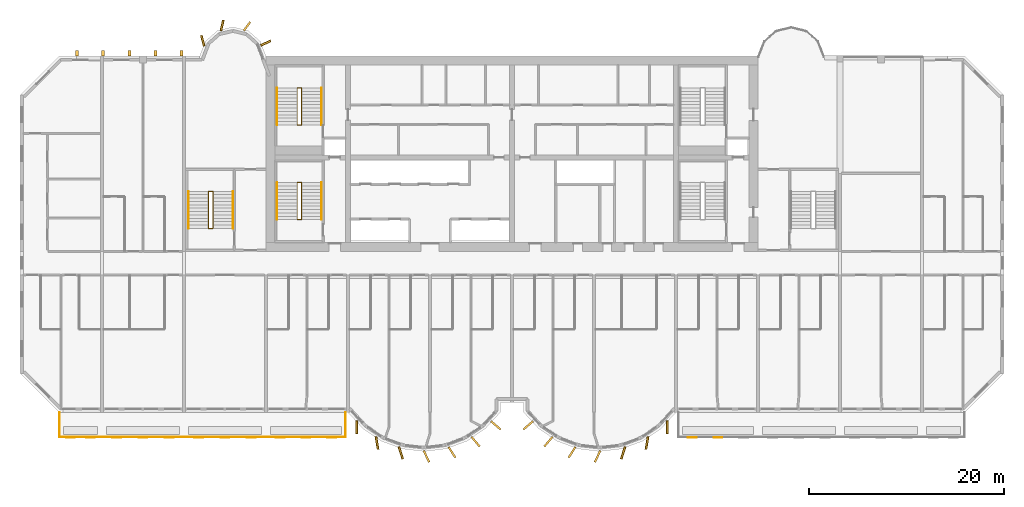
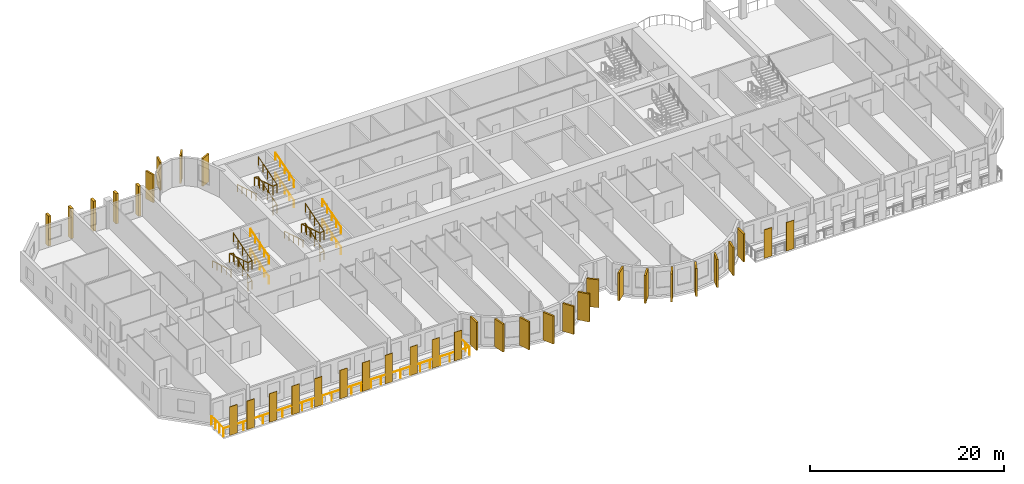
# One storey, part 13 of 15: 36 coverings, 13 railings.
"""IFC4 building model written with IfcOpenShell, lengths in metres."""

import ifcopenshell
import ifcopenshell.guid

model = None  # the IFC model being written
_history = None  # IfcOwnerHistory: only IFC2X3 demands one
_inside = {}  # id of a spatial element -> (the spatial element, [elements in it])
_under = {}  # id of a project, library or spatial element -> (it, [spatial elements below it])
_declared = {}  # id of a project -> (the project, [libraries it declares])
_typed = {}  # id of a type object -> (the type object, [elements of that type])
_made_of = {}  # id of a material, layer set ... -> (it, [elements and type objects made of it])


def new_model(schema):
    """Start an empty IFC model of exactly this schema.

    Asked for "IFC4X3", IfcOpenShell would pick the latest addendum, in which some entities
    have other attributes; the version numbers below select the first issue.
    IFC2X3 requires an IfcOwnerHistory on every rooted entity: one is made here for all.
    """
    global model, _history
    if schema == "IFC4X3":
        model = ifcopenshell.file(schema_version=(4, 3, 0, 0))
    else:
        model = ifcopenshell.file(schema=schema)
    _inside.clear()
    _under.clear()
    _declared.clear()
    _typed.clear()
    _made_of.clear()
    _history = None
    if model.schema == "IFC2X3":
        org = make("IfcOrganization", Name="unknown")
        user = make(
            "IfcPersonAndOrganization",
            ThePerson=make("IfcPerson", FamilyName="unknown"),
            TheOrganization=org,
        )
        app = make(
            "IfcApplication",
            ApplicationDeveloper=org,
            Version="unknown",
            ApplicationFullName="unknown",
            ApplicationIdentifier="unknown",
        )
        _history = make(
            "IfcOwnerHistory",
            OwningUser=user,
            OwningApplication=app,
            ChangeAction="ADDED",
            CreationDate=0,
        )
    return model


def make(cls, **values):
    """One entity of the class cls with the attributes given. An attribute that is None is left unset."""
    return model.create_entity(
        cls, **{name: value for name, value in values.items() if value is not None}
    )


def rooted(cls, **values):
    """An entity with a GlobalId (a new one), such as an element, a storey or a relation."""
    return make(cls, GlobalId=ifcopenshell.guid.new(), OwnerHistory=_history, **values)


def si_unit(unit_type, name, prefix=None):
    """IfcSIUnit, for example si_unit("LENGTHUNIT", "METRE", prefix="MILLI")."""
    return make("IfcSIUnit", UnitType=unit_type, Prefix=prefix, Name=name)


def assignment(units):
    """IfcUnitAssignment: the units of a project."""
    return None if units is None else make("IfcUnitAssignment", Units=units)


def point(xyz):
    """IfcCartesianPoint."""
    return None if xyz is None else make("IfcCartesianPoint", Coordinates=xyz)


def direction(xyz):
    """IfcDirection."""
    return None if xyz is None else make("IfcDirection", DirectionRatios=xyz)


def frame(location, z_axis=None, x_axis=None):
    """IfcAxis2Placement3D, a coordinate frame: its origin and axes. An axis left out is left unset."""
    return make(
        "IfcAxis2Placement3D",
        Location=point(location),
        Axis=direction(z_axis),
        RefDirection=direction(x_axis),
    )


def frame_2d(location, x_axis=None):
    """IfcAxis2Placement2D, a coordinate frame in the plane: its origin and x axis."""
    return make(
        "IfcAxis2Placement2D", Location=point(location), RefDirection=direction(x_axis)
    )


def origin():
    """The frame at (0, 0, 0) with its axes left unset."""
    return frame((0.0, 0.0, 0.0))


def origin_2d():
    """The frame at (0, 0) in the plane with its x axis left unset."""
    return frame_2d((0.0, 0.0))


def place(relative_to, where):
    """IfcLocalPlacement: puts the frame where relative to a parent placement (None: the world)."""
    return make(
        "IfcLocalPlacement", PlacementRelTo=relative_to, RelativePlacement=where
    )


def context(
    kind, dimensions, precision=None, world=None, true_north=None, identifier=None
):
    """IfcGeometricRepresentationContext, for example the 3D "Model" context."""
    return make(
        "IfcGeometricRepresentationContext",
        ContextIdentifier=identifier,
        ContextType=kind,
        CoordinateSpaceDimension=dimensions,
        Precision=precision,
        WorldCoordinateSystem=world,
        TrueNorth=true_north,
    )


def subcontext(parent, identifier, kind, view, scale=None):
    """IfcGeometricRepresentationSubContext, for example "Body" below "Model"."""
    return make(
        "IfcGeometricRepresentationSubContext",
        ContextIdentifier=identifier,
        ContextType=kind,
        ParentContext=parent,
        TargetScale=scale,
        TargetView=view,
    )


def project(units=None, contexts=None):
    """IfcProject with its units and contexts."""
    return rooted(
        "IfcProject",
        Name="project",
        RepresentationContexts=contexts,
        UnitsInContext=assignment(units),
    )


def spatial(cls, under=None, at=None, **own):
    """A site, building, storey or space (cls), placed at a placement, below another one or the project."""
    s = rooted(cls, ObjectPlacement=at, **own)
    if under is not None:
        _under.setdefault(under.id(), (under, []))[1].append(s)
    return s


def profile(cls, at=None, kind="AREA", **sizes):
    """A parametric profile (cls). Its sizes go by their IFC names, for example OverallWidth=200.0."""
    return make(cls, ProfileType=kind, Position=at, **sizes)


def rectangle(**sizes):
    """IfcRectangleProfileDef."""
    return profile("IfcRectangleProfileDef", **sizes)


def circle(**sizes):
    """IfcCircleProfileDef."""
    return profile("IfcCircleProfileDef", **sizes)


def extrude(swept, where, along, depth):
    """IfcExtrudedAreaSolid: the profile swept, set in the frame where, extruded along a direction by depth."""
    return make(
        "IfcExtrudedAreaSolid",
        SweptArea=swept,
        Position=where,
        ExtrudedDirection=direction(along),
        Depth=depth,
    )


def shape(context_of_items, identifier, shape_type, items):
    """IfcShapeRepresentation: the items that make up one representation, for example the "Body"."""
    return make(
        "IfcShapeRepresentation",
        ContextOfItems=context_of_items,
        RepresentationIdentifier=identifier,
        RepresentationType=shape_type,
        Items=items,
    )


def source(mapping_origin, context_of_items, identifier, shape_type, items):
    """IfcRepresentationMap: a shape defined once, which mapped items show again and again."""
    return make(
        "IfcRepresentationMap",
        MappingOrigin=mapping_origin,
        MappedRepresentation=shape(context_of_items, identifier, shape_type, items),
    )


def transform(
    local_origin,
    x_axis=None,
    y_axis=None,
    z_axis=None,
    scale=None,
    scale2=None,
    scale3=None,
    uniform=True,
):
    """IfcCartesianTransformationOperator3D, or its non-uniform kind. x_axis, y_axis, z_axis: its Axis1, 2, 3."""
    if uniform:
        return make(
            "IfcCartesianTransformationOperator3D",
            Axis1=direction(x_axis),
            Axis2=direction(y_axis),
            LocalOrigin=point(local_origin),
            Scale=scale,
            Axis3=direction(z_axis),
        )
    return make(
        "IfcCartesianTransformationOperator3DnonUniform",
        Axis1=direction(x_axis),
        Axis2=direction(y_axis),
        LocalOrigin=point(local_origin),
        Scale=scale,
        Axis3=direction(z_axis),
        Scale2=scale2,
        Scale3=scale3,
    )


def mapped(mapping_source, mapping_target):
    """IfcMappedItem: shows the shape of a source again, moved by a transform."""
    return make(
        "IfcMappedItem", MappingSource=mapping_source, MappingTarget=mapping_target
    )


def material(Name=None, Category=None):
    """IfcMaterial."""
    return make("IfcMaterial", Name=Name, Category=Category)


def layer(
    of_material, thickness, ventilated=None, Name=None, Category=None, Priority=None
):
    """IfcMaterialLayer: one layer of a wall or slab, of a material (None: an air gap)."""
    return make(
        "IfcMaterialLayer",
        Material=of_material,
        LayerThickness=thickness,
        IsVentilated=ventilated,
        Name=Name,
        Category=Category,
        Priority=Priority,
    )


def layer_set(layers, Name=None):
    """IfcMaterialLayerSet."""
    return make("IfcMaterialLayerSet", MaterialLayers=layers, LayerSetName=Name)


def material_profile(
    of_material, cross_section, Name=None, Category=None, Priority=None
):
    """IfcMaterialProfile: a cross section and its material."""
    return make(
        "IfcMaterialProfile",
        Name=Name,
        Material=of_material,
        Profile=cross_section,
        Priority=Priority,
        Category=Category,
    )


def profile_set(profiles, Name=None, composite=None):
    """IfcMaterialProfileSet."""
    return make(
        "IfcMaterialProfileSet",
        Name=Name,
        MaterialProfiles=profiles,
        CompositeProfile=composite,
    )


def made_of(thing, what):
    """Note that an element or type object is made of a material, layer set ...; save() writes the relation."""
    if what is not None:
        _made_of.setdefault(what.id(), (what, []))[1].append(thing)
    return thing


def type_object(cls, material=None, **own):
    """A type object (cls), such as IfcWallType, which elements share."""
    return made_of(rooted(cls, **own), material)


def element(
    cls,
    number,
    at=None,
    inside=None,
    cuts=None,
    type_object=None,
    material=None,
    context=None,
    identifier="Body",
    shape_type=None,
    held_by="IfcProductDefinitionShape",
    body=None,
    shapes=None,
    **own,
):
    """One element of the class cls, such as IfcWall. Its Tag is "e" and its number.

    at: its placement. inside: the storey or other place that contains it. cuts: it is an
    opening in that element (IfcRelVoidsElement). A single representation is given by context,
    identifier, shape_type and body (its items); several are given by shapes. held_by: the class
    of the entity that holds the representations. save() writes the other relations.
    """
    e = rooted(cls, Tag="e%d" % number, ObjectPlacement=at, **own)
    if body is not None:
        shapes = [shape(context, identifier, shape_type, body)]
    if shapes is not None:
        e.Representation = make(held_by, Representations=shapes)
    if inside is not None:
        _inside.setdefault(inside.id(), (inside, []))[1].append(e)
    if cuts is not None:
        rooted(
            "IfcRelVoidsElement", RelatingBuildingElement=cuts, RelatedOpeningElement=e
        )
    if type_object is not None:
        _typed.setdefault(type_object.id(), (type_object, []))[1].append(e)
    return made_of(e, material)


def aggregate(whole, parts):
    """IfcRelAggregates: a whole, such as a stair, and the parts it consists of."""
    return rooted("IfcRelAggregates", RelatingObject=whole, RelatedObjects=parts)


def save(model, path):
    """Write the relations noted so far, then the file.

    IfcRelAggregates (storeys below a building ...), IfcRelContainedInSpatialStructure (elements
    in a storey), IfcRelDefinesByType, IfcRelAssociatesMaterial and IfcRelDeclares: one each for
    every whole, place, type object, material and project.
    """
    for whole, parts in _under.values():
        aggregate(whole, parts)
    for where, things in _inside.values():
        rooted(
            "IfcRelContainedInSpatialStructure",
            RelatedElements=things,
            RelatingStructure=where,
        )
    for kind, things in _typed.values():
        rooted("IfcRelDefinesByType", RelatedObjects=things, RelatingType=kind)
    for what, things in _made_of.values():
        rooted("IfcRelAssociatesMaterial", RelatedObjects=things, RelatingMaterial=what)
    for by, libraries in _declared.values():
        rooted("IfcRelDeclares", RelatingContext=by, RelatedDefinitions=libraries)
    model.write(path)


model = new_model("IFC4")

# Units and contexts
model_context = context("Model", 3, precision=1e-05, world=origin(), true_north=direction((0.0, 1.0)))
body_context = subcontext(model_context, "Body", "Model", "MODEL_VIEW")
ifc_project = project(units=[si_unit("LENGTHUNIT", "METRE"), si_unit("AREAUNIT", "SQUARE_METRE"), si_unit("VOLUMEUNIT", "CUBIC_METRE"), si_unit("PLANEANGLEUNIT", "RADIAN"), si_unit("MASSUNIT", "GRAM", prefix="KILO")], contexts=[model_context])

# Site, building, storey
site_placement = place(None, origin())
site = spatial("IfcSite", under=ifc_project, at=site_placement, CompositionType="ELEMENT")
building_placement = place(site_placement, origin())
building = spatial("IfcBuilding", under=site, at=building_placement, Name="Vanashikhar Sky Hotel", CompositionType="ELEMENT")
storey_placement = place(building_placement, frame((0.0, 0.0, 91.39990234375)))
storey = spatial("IfcBuildingStorey", under=building, at=storey_placement, Name="L21", CompositionType="ELEMENT", Elevation=91.39990234375)

# Railing
ifc_material_1 = material(Name="Stainless steel 316", Category="steel")
railing_type_1 = type_object("IfcRailingType", Name="Balcony guard 1100", PredefinedType="GUARDRAIL", material=ifc_material_1)
shared_shape_1 = source(origin(), body_context, "Body", "SweptSolid", [
    extrude(circle(Radius=0.02392578125, at=origin_2d()), frame((0.0, 0.0, 1.076171875), z_axis=(0.0, -1.0, 0.0), x_axis=(1.0, 0.0, 0.0)), (0.0, 0.0, 1.0), 2.5),
    extrude(circle(Radius=0.02392578125, at=origin_2d()), frame((0.0, -2.5, 1.076171875), z_axis=(1.0, 0.0, 0.0), x_axis=(0.0, 1.0, 0.0)), (0.0, 0.0, 1.0), 29.280029296875),
    extrude(circle(Radius=0.02392578125, at=origin_2d()), frame((29.280029296875, -2.5, 1.076171875), z_axis=(0.0, 1.0, 0.0), x_axis=(-1.0, 0.0, 0.0)), (0.0, 0.0, 1.0), 2.5),
    extrude(circle(Radius=0.02099609375, at=origin_2d()), origin(), (0.0, 0.0, 1.0), 1.052001953125),
    extrude(circle(Radius=0.02099609375, at=origin_2d()), frame((0.0, -0.833251953125, 0.0)), (0.0, 0.0, 1.0), 1.052001953125),
    extrude(circle(Radius=0.02099609375, at=origin_2d()), frame((0.0, -1.666748046875, 0.0)), (0.0, 0.0, 1.0), 1.052001953125),
    extrude(circle(Radius=0.02099609375, at=origin_2d()), frame((0.0, -2.5, 0.0)), (0.0, 0.0, 1.0), 1.052001953125),
    extrude(circle(Radius=0.02099609375, at=origin_2d()), frame((1.171142578125, -2.5, 0.0)), (0.0, 0.0, 1.0), 1.052001953125),
    extrude(circle(Radius=0.02099609375, at=origin_2d()), frame((2.34228515625, -2.5, 0.0)), (0.0, 0.0, 1.0), 1.052001953125),
    extrude(circle(Radius=0.02099609375, at=origin_2d()), frame((3.513671875, -2.5, 0.0)), (0.0, 0.0, 1.0), 1.052001953125),
    extrude(circle(Radius=0.02099609375, at=origin_2d()), frame((4.684814453125, -2.5, 0.0)), (0.0, 0.0, 1.0), 1.052001953125),
    extrude(circle(Radius=0.02099609375, at=origin_2d()), frame((5.85595703125, -2.5, 0.0)), (0.0, 0.0, 1.0), 1.052001953125),
    extrude(circle(Radius=0.02099609375, at=origin_2d()), frame((7.027099609375, -2.5, 0.0)), (0.0, 0.0, 1.0), 1.052001953125),
    extrude(circle(Radius=0.02099609375, at=origin_2d()), frame((8.198486328125, -2.5, 0.0)), (0.0, 0.0, 1.0), 1.052001953125),
    extrude(circle(Radius=0.02099609375, at=origin_2d()), frame((9.36962890625, -2.5, 0.0)), (0.0, 0.0, 1.0), 1.052001953125),
    extrude(circle(Radius=0.02099609375, at=origin_2d()), frame((10.540771484375, -2.5, 0.0)), (0.0, 0.0, 1.0), 1.052001953125),
    extrude(circle(Radius=0.02099609375, at=origin_2d()), frame((11.7119140625, -2.5, 0.0)), (0.0, 0.0, 1.0), 1.052001953125),
    extrude(circle(Radius=0.02099609375, at=origin_2d()), frame((12.88330078125, -2.5, 0.0)), (0.0, 0.0, 1.0), 1.052001953125),
    extrude(circle(Radius=0.02099609375, at=origin_2d()), frame((14.054443359375, -2.5, 0.0)), (0.0, 0.0, 1.0), 1.052001953125),
    extrude(circle(Radius=0.02099609375, at=origin_2d()), frame((15.2255859375, -2.5, 0.0)), (0.0, 0.0, 1.0), 1.052001953125),
    extrude(circle(Radius=0.02099609375, at=origin_2d()), frame((16.396728515625, -2.5, 0.0)), (0.0, 0.0, 1.0), 1.052001953125),
    extrude(circle(Radius=0.02099609375, at=origin_2d()), frame((17.568115234375, -2.5, 0.0)), (0.0, 0.0, 1.0), 1.052001953125),
    extrude(circle(Radius=0.02099609375, at=origin_2d()), frame((18.7392578125, -2.5, 0.0)), (0.0, 0.0, 1.0), 1.052001953125),
    extrude(circle(Radius=0.02099609375, at=origin_2d()), frame((19.910400390625, -2.5, 0.0)), (0.0, 0.0, 1.0), 1.052001953125),
    extrude(circle(Radius=0.02099609375, at=origin_2d()), frame((21.08154296875, -2.5, 0.0)), (0.0, 0.0, 1.0), 1.052001953125),
    extrude(circle(Radius=0.02099609375, at=origin_2d()), frame((22.2529296875, -2.5, 0.0)), (0.0, 0.0, 1.0), 1.052001953125),
    extrude(circle(Radius=0.02099609375, at=origin_2d()), frame((23.424072265625, -2.5, 0.0)), (0.0, 0.0, 1.0), 1.052001953125),
    extrude(circle(Radius=0.02099609375, at=origin_2d()), frame((24.59521484375, -2.5, 0.0)), (0.0, 0.0, 1.0), 1.052001953125),
    extrude(circle(Radius=0.02099609375, at=origin_2d()), frame((25.766357421875, -2.5, 0.0)), (0.0, 0.0, 1.0), 1.052001953125),
    extrude(circle(Radius=0.02099609375, at=origin_2d()), frame((26.937744140625, -2.5, 0.0)), (0.0, 0.0, 1.0), 1.052001953125),
    extrude(circle(Radius=0.02099609375, at=origin_2d()), frame((28.10888671875, -2.5, 0.0)), (0.0, 0.0, 1.0), 1.052001953125),
    extrude(circle(Radius=0.02099609375, at=origin_2d()), frame((29.280029296875, -2.5, 0.0)), (0.0, 0.0, 1.0), 1.052001953125),
    extrude(circle(Radius=0.02099609375, at=origin_2d()), frame((29.280029296875, -1.666748046875, 0.0)), (0.0, 0.0, 1.0), 1.052001953125),
    extrude(circle(Radius=0.02099609375, at=origin_2d()), frame((29.280029296875, -0.833251953125, 0.0)), (0.0, 0.0, 1.0), 1.052001953125),
    extrude(circle(Radius=0.02099609375, at=origin_2d()), frame((29.280029296875, 0.0, 0.0)), (0.0, 0.0, 1.0), 1.052001953125),
])
railing_1_placement = place(storey_placement, frame((4.06005859375, 5.5, -0.0498046875)))
element("IfcRailing", 1, at=railing_1_placement, inside=storey, type_object=railing_type_1, Name="Balcony guard", PredefinedType="GUARDRAIL", context=body_context, shape_type="MappedRepresentation", body=[
    mapped(shared_shape_1, transform((0.0, 0.0, 0.0), scale=1.0)),
])

# Coverings
ifc_material_2 = material(Name="Terracotta", Category="masonry")
ifc_layer = layer(ifc_material_2, 0.06005859375)
ifc_layer_set = layer_set([ifc_layer], Name="Terracotta baguette screen")
covering_type_1 = type_object("IfcCoveringType", Name="Terracotta baguette screen", PredefinedType="CLADDING", material=ifc_layer_set)
shared_shape_2 = source(origin(), body_context, "Body", "SweptSolid", [
    extrude(rectangle(XDim=0.89990234375, YDim=0.06005859375, at=origin_2d()), origin(), (0.0, 0.0, 1.0), 3.60009765625),
])
for number, where, z_axis, x_axis, name in (
    (2, (5.175048828125, 2.929931640625, -0.050048828125), (0.0, 0.0, 1.0), (1.0, 0.0, 0.0), "Terracotta screen"),
    (3, (7.22509765625, 2.929931640625, -0.050048828125), (0.0, 0.0, 1.0), (1.0, 0.0, 0.0), "Terracotta screen"),
    (4, (9.89990234375, 2.929931640625, -0.050048828125), (0.0, 0.0, 1.0), (1.0, 0.0, 0.0), "Terracotta screen"),
    (5, (12.60009765625, 2.929931640625, -0.050048828125), (0.0, 0.0, 1.0), (1.0, 0.0, 0.0), "Terracotta screen"),
    (6, (15.300048828125, 2.929931640625, -0.050048828125), (0.0, 0.0, 1.0), (1.0, 0.0, 0.0), "Terracotta screen"),
    (7, (18.300048828125, 2.929931640625, -0.050048828125), (0.0, 0.0, 1.0), (1.0, 0.0, 0.0), "Terracotta screen"),
    (8, (21.0, 2.929931640625, -0.050048828125), (0.0, 0.0, 1.0), (1.0, 0.0, 0.0), "Terracotta screen"),
    (9, (23.699951171875, 2.929931640625, -0.050048828125), (0.0, 0.0, 1.0), (1.0, 0.0, 0.0), "Terracotta screen"),
    (10, (26.666748046875, 2.929931640625, -0.050048828125), (0.0, 0.0, 1.0), (1.0, 0.0, 0.0), "Terracotta screen"),
    (11, (29.300048828125, 2.929931640625, -0.050048828125), (0.0, 0.0, 1.0), (1.0, 0.0, 0.0), "Terracotta screen"),
    (12, (31.933349609375, 2.929931640625, -0.050048828125), (0.0, 0.0, 1.0), (1.0, 0.0, 0.0), "Terracotta screen"),
    (13, (68.86669921875, 2.929931640625, -0.050048828125), (0.0, 0.0, 1.0), (1.0, 0.0, 0.0), "Terracotta screen"),
    (14, (71.5, 2.929931640625, -0.050048828125), (0.0, 0.0, 1.0), (1.0, 0.0, 0.0), "Terracotta screen"),
):
    element("IfcCovering", number, at=place(storey_placement, frame(where, z_axis=z_axis, x_axis=x_axis)), inside=storey, type_object=covering_type_1, Name=name, PredefinedType="CLADDING", context=body_context, shape_type="MappedRepresentation", body=[
        mapped(shared_shape_2, transform((0.0, 0.0, 0.0), scale=1.0)),
    ])
ifc_material_3 = material(Name="Concrete M60 dark", Category="concrete")
ifc_material_profile_1 = material_profile(ifc_material_3, rectangle(XDim=1.300048828125, YDim=0.199951171875, at=origin_2d()))
ifc_profile_set_1 = profile_set([ifc_material_profile_1], Name="Fin 1300 x 200")
covering_type_2 = type_object("IfcCoveringType", Name="Fin 1300 x 200", PredefinedType="CLADDING", material=ifc_profile_set_1)
shared_shape_3 = source(origin(), body_context, "Body", "SweptSolid", [
    extrude(rectangle(XDim=1.300048828125, YDim=0.199951171875, at=origin_2d()), origin(), (0.0, 0.0, 1.0), 3.52001953125),
])
for number, where, z_axis, x_axis, name in (
    (15, (34.482421875, 3.992919921875, 0.0), (0.0, 0.0, 1.0), (0.011588726826, -0.999932848451, 0.0), "Fin F1-1"),
    (16, (36.572509765625, 2.3779296875, 0.0), (0.0, 0.0, 1.0), (0.16989991575, -0.985461322746, 0.0), "Fin F1-2"),
    (17, (39.00830078125, 1.35693359375, 0.0), (0.0, 0.0, 1.0), (0.303966551867, -0.952682704444, 0.0), "Fin F1-3"),
    (18, (41.63232421875, 1.00146484375, 0.0), (0.0, 0.0, 1.0), (0.422618261741, -0.906307787037, 0.0), "Fin F1-4"),
    (19, (44.251953125, 1.416015625, 0.0), (0.0, 0.0, 1.0), (0.534411358496, -0.845224526331, 0.0), "Fin F1-5"),
    (20, (46.676025390625, 2.5, 0.0), (0.0, 0.0, 1.0), (0.645697609467, -0.763593214433, 0.0), "Fin F1-6"),
    (21, (48.7412109375, 4.1845703125, 0.0), (0.0, 0.0, 1.0), (0.758543912032, -0.65162192529, 0.0), "Fin F1-7"),
    (22, (52.058837890625, 4.1845703125, 0.0), (0.0, 0.0, 1.0), (-0.758543912032, -0.65162192529, 0.0), "Fin F2-1"),
    (23, (54.123779296875, 2.5, 0.0), (0.0, 0.0, 1.0), (-0.645697609467, -0.763593214433, 0.0), "Fin F2-2"),
    (24, (56.547119140625, 1.416015625, 0.0), (0.0, 0.0, 1.0), (-0.534411358496, -0.845224526331, 0.0), "Fin F2-3"),
    (25, (59.16748046875, 1.00146484375, 0.0), (0.0, 0.0, 1.0), (-0.422618261741, -0.906307787037, 0.0), "Fin F2-4"),
    (26, (61.790771484375, 1.35693359375, 0.0), (0.0, 0.0, 1.0), (-0.303966551867, -0.952682704444, 0.0), "Fin F2-5"),
    (27, (64.2275390625, 2.3779296875, 0.0), (0.0, 0.0, 1.0), (-0.16989991575, -0.985461322746, 0.0), "Fin F2-6"),
    (28, (66.317626953125, 3.992919921875, 0.0), (0.0, 0.0, 1.0), (-0.011588726826, -0.999932848451, 0.0), "Fin F2-7"),
):
    element("IfcCovering", number, at=place(storey_placement, frame(where, z_axis=z_axis, x_axis=x_axis)), inside=storey, type_object=covering_type_2, Name=name, PredefinedType="CLADDING", context=body_context, shape_type="MappedRepresentation", body=[
        mapped(shared_shape_3, transform((0.0, 0.0, 0.0), scale=1.0)),
    ])
ifc_material_profile_2 = material_profile(ifc_material_3, rectangle(XDim=1.10009765625, YDim=0.199951171875, at=origin_2d()))
ifc_profile_set_2 = profile_set([ifc_material_profile_2], Name="Rear lobe fin 1100 x 200")
covering_type_3 = type_object("IfcCoveringType", Name="Rear lobe fin 1100 x 200", PredefinedType="CLADDING", material=ifc_profile_set_2)
shared_shape_4 = source(origin(), body_context, "Body", "SweptSolid", [
    extrude(rectangle(XDim=1.10009765625, YDim=0.199951171875, at=origin_2d()), origin(), (0.0, 0.0, 1.0), 3.52001953125),
])
for number, where, z_axis, x_axis, name in (
    (29, (18.720703125, 43.580078125, 0.0), (0.0, 0.0, 1.0), (-0.262711264409, 0.964874495234, 0.0), "Fin R1-1"),
    (30, (20.710205078125, 45.1455078125, 0.0), (0.0, 0.0, 1.0), (0.224644935864, 0.974440687159, 0.0), "Fin R1-2"),
    (31, (23.261962890625, 45.06640625, 0.0), (0.0, 0.0, 1.0), (0.602065892195, 0.798446404874, 0.0), "Fin R1-3"),
    (32, (25.169677734375, 43.33447265625, 0.0), (0.0, 0.0, 1.0), (0.908004291068, 0.418960866193, 0.0), "Fin R1-4"),
):
    element("IfcCovering", number, at=place(storey_placement, frame(where, z_axis=z_axis, x_axis=x_axis)), inside=storey, type_object=covering_type_3, Name=name, PredefinedType="CLADDING", context=body_context, shape_type="MappedRepresentation", body=[
        mapped(shared_shape_4, transform((0.0, 0.0, 0.0), scale=1.0)),
    ])
ifc_material_profile_3 = material_profile(ifc_material_3, rectangle(XDim=0.60009765625, YDim=0.300048828125, at=origin_2d()))
ifc_profile_set_3 = profile_set([ifc_material_profile_3], Name="Rear rib 600 x 300")
covering_type_4 = type_object("IfcCoveringType", Name="Rear rib 600 x 300", PredefinedType="CLADDING", material=ifc_profile_set_3)
shared_shape_5 = source(origin(), body_context, "Body", "SweptSolid", [
    extrude(rectangle(XDim=0.60009765625, YDim=0.300048828125, at=origin_2d()), origin(), (0.0, 0.0, 1.0), 3.7998046875),
])
for number, where, z_axis, x_axis, name in (
    (33, (5.840087890625, 42.300048828125, -0.27978515625), (0.0, 0.0, 1.0), (0.0, 1.0, 0.0), "Rear rib"),
    (34, (8.52001953125, 42.300048828125, -0.27978515625), (0.0, 0.0, 1.0), (0.0, 1.0, 0.0), "Rear rib"),
    (35, (11.199951171875, 42.300048828125, -0.27978515625), (0.0, 0.0, 1.0), (0.0, 1.0, 0.0), "Rear rib"),
    (36, (13.8798828125, 42.300048828125, -0.27978515625), (0.0, 0.0, 1.0), (0.0, 1.0, 0.0), "Rear rib"),
    (37, (16.56005859375, 42.300048828125, -0.27978515625), (0.0, 0.0, 1.0), (0.0, 1.0, 0.0), "Rear rib"),
):
    element("IfcCovering", number, at=place(storey_placement, frame(where, z_axis=z_axis, x_axis=x_axis)), inside=storey, type_object=covering_type_4, Name=name, PredefinedType="CLADDING", context=body_context, shape_type="MappedRepresentation", body=[
        mapped(shared_shape_5, transform((0.0, 0.0, 0.0), scale=1.0)),
    ])

# Railings
ifc_material_4 = material(Name="Steel S355", Category="steel")
railing_type_2 = type_object("IfcRailingType", Name="Stair handrail 900", PredefinedType="HANDRAIL", material=ifc_material_4)
shared_shape_6 = source(origin(), body_context, "Body", "SweptSolid", [
    extrude(circle(Radius=0.02392578125, at=origin_2d()), frame((0.0, 0.0, 0.8759765625), z_axis=(0.0, 0.95635109408, 0.292220096591), x_axis=(-1.0, 0.0, 0.0)), (0.0, 0.0, 1.0), 3.973388671875),
    extrude(circle(Radius=0.02099609375, at=origin_2d()), origin(), (0.0, 0.0, 1.0), 0.851806640625),
    extrude(circle(Radius=0.02099609375, at=origin_2d()), frame((0.0, 0.949951171875, 0.290283203125)), (0.0, 0.0, 1.0), 0.851806640625),
    extrude(circle(Radius=0.02099609375, at=origin_2d()), frame((0.0, 1.89990234375, 0.58056640625)), (0.0, 0.0, 1.0), 0.851806640625),
    extrude(circle(Radius=0.02099609375, at=origin_2d()), frame((0.0, 2.85009765625, 0.870849609375)), (0.0, 0.0, 1.0), 0.851806640625),
    extrude(circle(Radius=0.02099609375, at=origin_2d()), frame((0.0, 3.800048828125, 1.1611328125)), (0.0, 0.0, 1.0), 0.851806640625),
])
for number, where, name in (
    (38, (30.89990234375, 25.25, 0.105712890625), "Exit stair 1 handrail"),
    (39, (30.89990234375, 25.25, 2.638916015625), "Exit stair 1 handrail"),
    (40, (30.89990234375, 34.949951171875, 0.105712890625), "Exit stair 5 handrail"),
    (41, (30.89990234375, 34.949951171875, 2.638916015625), "Exit stair 5 handrail"),
):
    element("IfcRailing", number, at=place(storey_placement, frame(where)), inside=storey, type_object=railing_type_2, Name=name, PredefinedType="HANDRAIL", context=body_context, shape_type="MappedRepresentation", body=[
        mapped(shared_shape_6, transform((0.0, 0.0, 0.0), scale=1.0)),
    ])
shared_shape_7 = source(origin(), body_context, "Body", "SweptSolid", [
    extrude(circle(Radius=0.02392578125, at=origin_2d()), frame((0.0, 0.0, 0.8759765625), z_axis=(0.0, -0.95635109408, 0.292220096591), x_axis=(1.0, 0.0, 0.0)), (0.0, 0.0, 1.0), 3.973388671875),
    extrude(circle(Radius=0.02099609375, at=origin_2d()), origin(), (0.0, 0.0, 1.0), 0.851806640625),
    extrude(circle(Radius=0.02099609375, at=origin_2d()), frame((0.0, -0.949951171875, 0.290283203125)), (0.0, 0.0, 1.0), 0.851806640625),
    extrude(circle(Radius=0.02099609375, at=origin_2d()), frame((0.0, -1.89990234375, 0.58056640625)), (0.0, 0.0, 1.0), 0.851806640625),
    extrude(circle(Radius=0.02099609375, at=origin_2d()), frame((0.0, -2.85009765625, 0.870849609375)), (0.0, 0.0, 1.0), 0.851806640625),
    extrude(circle(Radius=0.02099609375, at=origin_2d()), frame((0.0, -3.800048828125, 1.1611328125)), (0.0, 0.0, 1.0), 0.851806640625),
])
for number, where, name in (
    (42, (26.35009765625, 29.050048828125, 1.372314453125), "Exit stair 1 handrail"),
    (43, (26.35009765625, 38.75, 1.372314453125), "Exit stair 5 handrail"),
):
    element("IfcRailing", number, at=place(storey_placement, frame(where)), inside=storey, type_object=railing_type_2, Name=name, PredefinedType="HANDRAIL", context=body_context, shape_type="MappedRepresentation", body=[
        mapped(shared_shape_7, transform((0.0, 0.0, 0.0), scale=1.0)),
    ])
railing_type_3 = type_object("IfcRailingType", Name="Stair guard 1100", PredefinedType="GUARDRAIL", material=ifc_material_4)
shared_shape_8 = source(origin(), body_context, "Body", "SweptSolid", [
    extrude(circle(Radius=0.02392578125, at=origin_2d()), frame((0.0, 0.0, 1.076171875), z_axis=(0.973520925263, 0.0, 0.228597917917), x_axis=(0.0, 1.0, 0.0)), (0.0, 0.0, 1.0), 0.46240234375),
    extrude(circle(Radius=0.02392578125, at=origin_2d()), frame((0.4501953125, 0.0, 1.181640625), z_axis=(0.0, 0.95635109408, 0.292220096591), x_axis=(-1.0, 0.0, 0.0)), (0.0, 0.0, 1.0), 3.973388671875),
    extrude(circle(Radius=0.02392578125, at=origin_2d()), frame((0.4501953125, 3.800048828125, 2.3427734375), z_axis=(-0.973638301096, 0.0, 0.228097476179), x_axis=(0.0, -1.0, 0.0)), (0.0, 0.0, 1.0), 0.46240234375),
    extrude(circle(Radius=0.02392578125, at=origin_2d()), frame((0.0, 3.800048828125, 2.4482421875), z_axis=(0.0, -0.95635109408, 0.292220096591), x_axis=(1.0, 0.0, 0.0)), (0.0, 0.0, 1.0), 3.973388671875),
    extrude(circle(Radius=0.02392578125, at=origin_2d()), frame((0.0, 0.0, 3.609375), z_axis=(0.973638301096, 0.0, 0.228097476179), x_axis=(0.0, 1.0, 0.0)), (0.0, 0.0, 1.0), 0.46240234375),
    extrude(circle(Radius=0.02392578125, at=origin_2d()), frame((0.4501953125, 0.0, 3.71484375), z_axis=(0.0, 0.95635109408, 0.292220096591), x_axis=(-1.0, 0.0, 0.0)), (0.0, 0.0, 1.0), 3.973388671875),
    extrude(circle(Radius=0.02099609375, at=origin_2d()), origin(), (0.0, 0.0, 1.0), 1.052001953125),
    extrude(circle(Radius=0.02099609375, at=origin_2d()), frame((0.4501953125, 0.0, 0.105712890625)), (0.0, 0.0, 1.0), 1.052001953125),
    extrude(circle(Radius=0.02099609375, at=origin_2d()), frame((0.4501953125, 0.949951171875, 0.39599609375)), (0.0, 0.0, 1.0), 1.052001953125),
    extrude(circle(Radius=0.02099609375, at=origin_2d()), frame((0.4501953125, 1.89990234375, 0.686279296875)), (0.0, 0.0, 1.0), 1.052001953125),
    extrude(circle(Radius=0.02099609375, at=origin_2d()), frame((0.4501953125, 2.85009765625, 0.9765625)), (0.0, 0.0, 1.0), 1.052001953125),
    extrude(circle(Radius=0.02099609375, at=origin_2d()), frame((0.4501953125, 3.800048828125, 1.266845703125)), (0.0, 0.0, 1.0), 1.052001953125),
    extrude(circle(Radius=0.02099609375, at=origin_2d()), frame((0.0, 3.800048828125, 1.372314453125)), (0.0, 0.0, 1.0), 1.052001953125),
    extrude(circle(Radius=0.02099609375, at=origin_2d()), frame((0.0, 2.85009765625, 1.66259765625)), (0.0, 0.0, 1.0), 1.052001953125),
    extrude(circle(Radius=0.02099609375, at=origin_2d()), frame((0.0, 1.89990234375, 1.952880859375)), (0.0, 0.0, 1.0), 1.052001953125),
    extrude(circle(Radius=0.02099609375, at=origin_2d()), frame((0.0, 0.949951171875, 2.2431640625)), (0.0, 0.0, 1.0), 1.052001953125),
    extrude(circle(Radius=0.02099609375, at=origin_2d()), frame((0.0, 0.0, 2.533447265625)), (0.0, 0.0, 1.0), 1.052001953125),
    extrude(circle(Radius=0.02099609375, at=origin_2d()), frame((0.4501953125, 0.0, 2.638916015625)), (0.0, 0.0, 1.0), 1.052001953125),
    extrude(circle(Radius=0.02099609375, at=origin_2d()), frame((0.4501953125, 0.949951171875, 2.92919921875)), (0.0, 0.0, 1.0), 1.052001953125),
    extrude(circle(Radius=0.02099609375, at=origin_2d()), frame((0.4501953125, 1.89990234375, 3.219482421875)), (0.0, 0.0, 1.0), 1.052001953125),
    extrude(circle(Radius=0.02099609375, at=origin_2d()), frame((0.4501953125, 2.85009765625, 3.509765625)), (0.0, 0.0, 1.0), 1.052001953125),
    extrude(circle(Radius=0.02099609375, at=origin_2d()), frame((0.4501953125, 3.800048828125, 3.800048828125)), (0.0, 0.0, 1.0), 1.052001953125),
])
for number, where, name in (
    (44, (28.39990234375, 25.25, 0.0), "Exit stair 1 guard"),
    (45, (28.39990234375, 34.949951171875, 0.0), "Exit stair 5 guard"),
):
    element("IfcRailing", number, at=place(storey_placement, frame(where)), inside=storey, type_object=railing_type_3, Name=name, PredefinedType="GUARDRAIL", context=body_context, shape_type="MappedRepresentation", body=[
        mapped(shared_shape_8, transform((0.0, 0.0, 0.0), scale=1.0)),
    ])
shared_shape_9 = source(origin(), body_context, "Body", "SweptSolid", [
    extrude(circle(Radius=0.02392578125, at=origin_2d()), frame((0.0, 0.0, 0.8759765625), z_axis=(0.0, 0.956345846891, 0.292237268557), x_axis=(-1.0, 0.0, 0.0)), (0.0, 0.0, 1.0), 3.97314453125),
    extrude(circle(Radius=0.02099609375, at=origin_2d()), origin(), (0.0, 0.0, 1.0), 0.851806640625),
    extrude(circle(Radius=0.02099609375, at=origin_2d()), frame((0.0, 0.949951171875, 0.290283203125)), (0.0, 0.0, 1.0), 0.851806640625),
    extrude(circle(Radius=0.02099609375, at=origin_2d()), frame((0.0, 1.89990234375, 0.58056640625)), (0.0, 0.0, 1.0), 0.851806640625),
    extrude(circle(Radius=0.02099609375, at=origin_2d()), frame((0.0, 2.849853515625, 0.870849609375)), (0.0, 0.0, 1.0), 0.851806640625),
    extrude(circle(Radius=0.02099609375, at=origin_2d()), frame((0.0, 3.7998046875, 1.1611328125)), (0.0, 0.0, 1.0), 0.851806640625),
])
for number, where, name in (
    (46, (21.800048828125, 24.35009765625, 0.105712890625), "Exit stair 3 handrail"),
    (47, (21.800048828125, 24.35009765625, 2.638916015625), "Exit stair 3 handrail"),
):
    element("IfcRailing", number, at=place(storey_placement, frame(where)), inside=storey, type_object=railing_type_2, Name=name, PredefinedType="HANDRAIL", context=body_context, shape_type="MappedRepresentation", body=[
        mapped(shared_shape_9, transform((0.0, 0.0, 0.0), scale=1.0)),
    ])
shared_shape_10 = source(origin(), body_context, "Body", "SweptSolid", [
    extrude(circle(Radius=0.02392578125, at=origin_2d()), frame((0.0, 0.0, 0.8759765625), z_axis=(0.0, -0.956345846891, 0.292237268557), x_axis=(1.0, 0.0, 0.0)), (0.0, 0.0, 1.0), 3.97314453125),
    extrude(circle(Radius=0.02099609375, at=origin_2d()), origin(), (0.0, 0.0, 1.0), 0.851806640625),
    extrude(circle(Radius=0.02099609375, at=origin_2d()), frame((0.0, -0.949951171875, 0.290283203125)), (0.0, 0.0, 1.0), 0.851806640625),
    extrude(circle(Radius=0.02099609375, at=origin_2d()), frame((0.0, -1.89990234375, 0.58056640625)), (0.0, 0.0, 1.0), 0.851806640625),
    extrude(circle(Radius=0.02099609375, at=origin_2d()), frame((0.0, -2.849853515625, 0.870849609375)), (0.0, 0.0, 1.0), 0.851806640625),
    extrude(circle(Radius=0.02099609375, at=origin_2d()), frame((0.0, -3.7998046875, 1.1611328125)), (0.0, 0.0, 1.0), 0.851806640625),
])
railing_2_placement = place(storey_placement, frame((17.25, 28.14990234375, 1.372314453125)))
element("IfcRailing", 48, at=railing_2_placement, inside=storey, type_object=railing_type_2, Name="Exit stair 3 handrail", PredefinedType="HANDRAIL", context=body_context, shape_type="MappedRepresentation", body=[
    mapped(shared_shape_10, transform((0.0, 0.0, 0.0), scale=1.0)),
])
shared_shape_11 = source(origin(), body_context, "Body", "SweptSolid", [
    extrude(circle(Radius=0.02392578125, at=origin_2d()), frame((0.0, 0.0, 1.076171875), z_axis=(0.973493315427, 0.0, 0.228715466945), x_axis=(0.0, 1.0, 0.0)), (0.0, 0.0, 1.0), 0.462158203125),
    extrude(circle(Radius=0.02392578125, at=origin_2d()), frame((0.449951171875, 0.0, 1.181640625), z_axis=(0.0, 0.956345846891, 0.292237268557), x_axis=(-1.0, 0.0, 0.0)), (0.0, 0.0, 1.0), 3.97314453125),
    extrude(circle(Radius=0.02392578125, at=origin_2d()), frame((0.449951171875, 3.7998046875, 2.3427734375), z_axis=(-0.973610808694, 0.0, 0.228214796178), x_axis=(0.0, -1.0, 0.0)), (0.0, 0.0, 1.0), 0.462158203125),
    extrude(circle(Radius=0.02392578125, at=origin_2d()), frame((0.0, 3.7998046875, 2.4482421875), z_axis=(0.0, -0.956345846891, 0.292237268557), x_axis=(1.0, 0.0, 0.0)), (0.0, 0.0, 1.0), 3.97314453125),
    extrude(circle(Radius=0.02392578125, at=origin_2d()), frame((0.0, 0.0, 3.609375), z_axis=(0.973610808694, 0.0, 0.228214796178), x_axis=(0.0, 1.0, 0.0)), (0.0, 0.0, 1.0), 0.462158203125),
    extrude(circle(Radius=0.02392578125, at=origin_2d()), frame((0.449951171875, 0.0, 3.71484375), z_axis=(0.0, 0.956345846891, 0.292237268557), x_axis=(-1.0, 0.0, 0.0)), (0.0, 0.0, 1.0), 3.97314453125),
    extrude(circle(Radius=0.02099609375, at=origin_2d()), origin(), (0.0, 0.0, 1.0), 1.052001953125),
    extrude(circle(Radius=0.02099609375, at=origin_2d()), frame((0.449951171875, 0.0, 0.105712890625)), (0.0, 0.0, 1.0), 1.052001953125),
    extrude(circle(Radius=0.02099609375, at=origin_2d()), frame((0.449951171875, 0.949951171875, 0.39599609375)), (0.0, 0.0, 1.0), 1.052001953125),
    extrude(circle(Radius=0.02099609375, at=origin_2d()), frame((0.449951171875, 1.89990234375, 0.686279296875)), (0.0, 0.0, 1.0), 1.052001953125),
    extrude(circle(Radius=0.02099609375, at=origin_2d()), frame((0.449951171875, 2.849853515625, 0.9765625)), (0.0, 0.0, 1.0), 1.052001953125),
    extrude(circle(Radius=0.02099609375, at=origin_2d()), frame((0.449951171875, 3.7998046875, 1.266845703125)), (0.0, 0.0, 1.0), 1.052001953125),
    extrude(circle(Radius=0.02099609375, at=origin_2d()), frame((0.0, 3.7998046875, 1.372314453125)), (0.0, 0.0, 1.0), 1.052001953125),
    extrude(circle(Radius=0.02099609375, at=origin_2d()), frame((0.0, 2.849853515625, 1.66259765625)), (0.0, 0.0, 1.0), 1.052001953125),
    extrude(circle(Radius=0.02099609375, at=origin_2d()), frame((0.0, 1.89990234375, 1.952880859375)), (0.0, 0.0, 1.0), 1.052001953125),
    extrude(circle(Radius=0.02099609375, at=origin_2d()), frame((0.0, 0.949951171875, 2.2431640625)), (0.0, 0.0, 1.0), 1.052001953125),
    extrude(circle(Radius=0.02099609375, at=origin_2d()), frame((0.0, 0.0, 2.533447265625)), (0.0, 0.0, 1.0), 1.052001953125),
    extrude(circle(Radius=0.02099609375, at=origin_2d()), frame((0.449951171875, 0.0, 2.638916015625)), (0.0, 0.0, 1.0), 1.052001953125),
    extrude(circle(Radius=0.02099609375, at=origin_2d()), frame((0.449951171875, 0.949951171875, 2.92919921875)), (0.0, 0.0, 1.0), 1.052001953125),
    extrude(circle(Radius=0.02099609375, at=origin_2d()), frame((0.449951171875, 1.89990234375, 3.219482421875)), (0.0, 0.0, 1.0), 1.052001953125),
    extrude(circle(Radius=0.02099609375, at=origin_2d()), frame((0.449951171875, 2.849853515625, 3.509765625)), (0.0, 0.0, 1.0), 1.052001953125),
    extrude(circle(Radius=0.02099609375, at=origin_2d()), frame((0.449951171875, 3.7998046875, 3.800048828125)), (0.0, 0.0, 1.0), 1.052001953125),
])
railing_3_placement = place(storey_placement, frame((19.300048828125, 24.35009765625, 0.0)))
element("IfcRailing", 49, at=railing_3_placement, inside=storey, type_object=railing_type_3, Name="Exit stair 3 guard", PredefinedType="GUARDRAIL", context=body_context, shape_type="MappedRepresentation", body=[
    mapped(shared_shape_11, transform((0.0, 0.0, 0.0), scale=1.0)),
])

save(model, "model.ifc")
